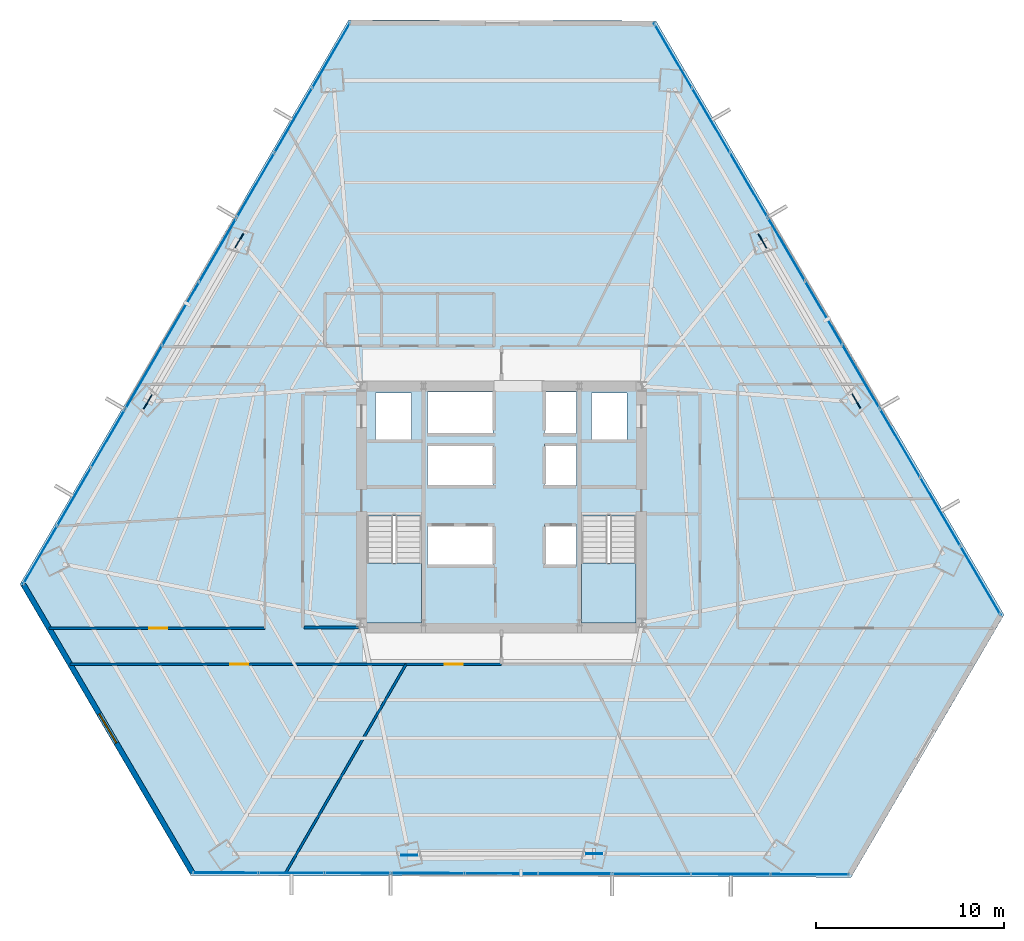
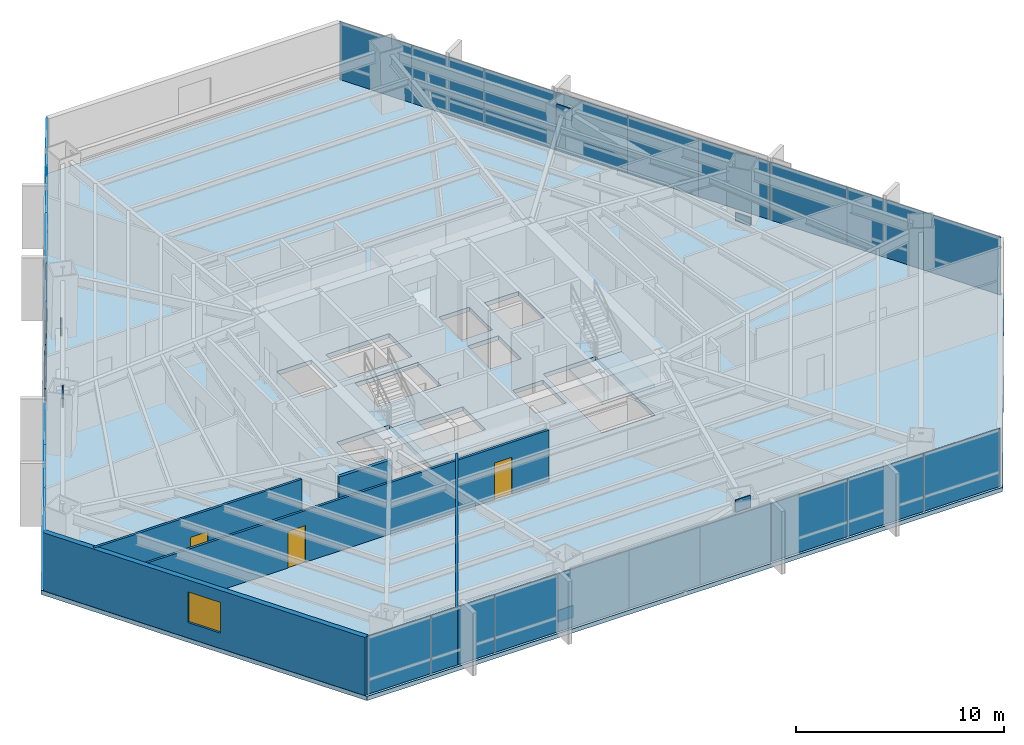
# One storey, part 27 of 33: 33 plates, 6 walls, 3 doors, 3 slabs, 1 window, 4 openings, 11 elements without a shape of their own.
"""IFC4 building model written with IfcOpenShell, lengths in metres."""

from ifc_helpers import new_model, si_unit, direction, frame, frame_2d, origin, origin_2d, place, context, subcontext, project, spatial, polyline, rectangle, outline, extrude, source, transform, mapped, material, layer, layer_set, type_object, type_shapes, element, fill, aggregate, save


model = new_model("IFC4")

# Units and contexts
model_context = context("Model", 3, precision=1e-05, world=origin(), true_north=direction((0.0, 1.0)))
body_context = subcontext(model_context, "Body", "Model", "MODEL_VIEW")
ifc_project = project(units=[si_unit("LENGTHUNIT", "METRE"), si_unit("AREAUNIT", "SQUARE_METRE"), si_unit("VOLUMEUNIT", "CUBIC_METRE"), si_unit("PLANEANGLEUNIT", "RADIAN"), si_unit("MASSUNIT", "GRAM", prefix="KILO")], contexts=[model_context])

# Site, building, storey
site_placement = place(None, origin())
site = spatial("IfcSite", under=ifc_project, at=site_placement, CompositionType="ELEMENT")
building_placement = place(site_placement, origin())
building = spatial("IfcBuilding", under=site, at=building_placement, Name="Caelisora Broadcast Tower", CompositionType="ELEMENT")
storey_placement = place(building_placement, frame((0.0, 0.0, 38.550048828125)))
storey = spatial("IfcBuildingStorey", under=building, at=storey_placement, Name="L09", CompositionType="ELEMENT", Elevation=38.550048828125)

# Slab
ifc_material_1 = material(Name="Concrete 40 MPa (AS 3600 N40)", Category="concrete")
ifc_layer_1 = layer(ifc_material_1, 0.25, Name="Concrete 40 MPa (AS 3600 N40)")
ifc_layer_set_1 = layer_set([ifc_layer_1], Name="Concrete 40 MPa (AS 3600 N40)")
slab_type_1 = type_object("IfcSlabType", Name="SL04", PredefinedType="FLOOR", material=ifc_layer_set_1)
slab_1_placement = place(storey_placement, frame((0.0, 0.0, -0.25)))
element("IfcSlab", 1, at=slab_1_placement, inside=storey, type_object=slab_type_1, Name="L09 suspended floor SL04", PredefinedType="FLOOR", context=body_context, shape_type="SweptSolid", body=[
    extrude(outline(polyline([(46.22607421875, 49.47607421875), (29.85205078125, 49.52099609375), (12.343017578125, 19.4599609375), (21.445068359375, 3.93310546875), (56.631103515625, 3.8349609375), (64.778076171875, 17.823974609375), (46.22607421875, 49.47607421875)]), holes=[polyline([(30.820068359375, 17.39990234375), (33.739990234375, 17.39990234375), (33.739990234375, 23.080078125), (30.820068359375, 23.080078125), (30.820068359375, 17.39990234375)]), polyline([(42.260009765625, 17.39990234375), (45.179931640625, 17.39990234375), (45.179931640625, 23.080078125), (42.260009765625, 23.080078125), (42.260009765625, 17.39990234375)]), polyline([(42.800048828125, 27.14990234375), (44.699951171875, 27.14990234375), (44.699951171875, 29.64990234375), (42.800048828125, 29.64990234375), (42.800048828125, 27.14990234375)]), polyline([(40.300048828125, 20.429931640625), (42.0, 20.429931640625), (42.0, 22.6298828125), (40.300048828125, 22.6298828125), (40.300048828125, 20.429931640625)]), polyline([(40.300048828125, 24.719970703125), (42.0, 24.719970703125), (42.0, 26.919921875), (40.300048828125, 26.919921875), (40.300048828125, 24.719970703125)]), polyline([(40.300048828125, 27.5), (42.0, 27.5), (42.0, 29.699951171875), (40.300048828125, 29.699951171875), (40.300048828125, 27.5)]), polyline([(34.050048828125, 20.429931640625), (37.550048828125, 20.429931640625), (37.550048828125, 22.6298828125), (34.050048828125, 22.6298828125), (34.050048828125, 20.429931640625)]), polyline([(34.050048828125, 24.719970703125), (37.550048828125, 24.719970703125), (37.550048828125, 26.919921875), (34.050048828125, 26.919921875), (34.050048828125, 24.719970703125)]), polyline([(34.050048828125, 27.5), (37.550048828125, 27.5), (37.550048828125, 29.699951171875), (34.050048828125, 29.699951171875), (34.050048828125, 27.5)]), polyline([(31.300048828125, 27.14990234375), (33.199951171875, 27.14990234375), (33.199951171875, 29.64990234375), (31.300048828125, 29.64990234375), (31.300048828125, 27.14990234375)])]), origin(), (0.0, 0.0, 1.0), 0.25),
])

# Stair, slab
stair_type_1 = type_object("IfcStairType", Name="ST-1", PredefinedType="HALF_TURN_STAIR", material=ifc_material_1)
stair_1_placement = place(storey_placement, origin())
stair_1 = element("IfcStair", 2, at=stair_1_placement, inside=storey, type_object=stair_type_1, Name="L09 West Fire-Isolated Tower Stair", PredefinedType="HALF_TURN_STAIR")
ifc_layer_2 = layer(ifc_material_1, 0.199951171875, Name="Concrete 40 MPa (AS 3600 N40)")
ifc_layer_set_2 = layer_set([ifc_layer_2], Name="Concrete 40 MPa (AS 3600 N40)")
slab_type_2 = type_object("IfcSlabType", Name="STL-1", PredefinedType="LANDING", material=ifc_layer_set_2)
slab_2_placement = place(storey_placement, frame((0.0, 0.0, 1.625)))
slab_2 = element("IfcSlab", 3, at=slab_2_placement, type_object=slab_type_2, Name="ST-1 landing 1", PredefinedType="LANDING", context=body_context, shape_type="SweptSolid", body=[
    extrude(outline(polyline([(30.820068359375, 20.580078125), (30.820068359375, 17.39990234375), (33.739990234375, 17.39990234375), (33.739990234375, 20.580078125), (30.820068359375, 20.580078125)])), origin(), (0.0, 0.0, 1.0), 0.199951171875),
])
aggregate(stair_1, [slab_2])

stair_type_2 = type_object("IfcStairType", Name="ST-2", PredefinedType="HALF_TURN_STAIR", material=ifc_material_1)
stair_2_placement = place(storey_placement, origin())
stair_2 = element("IfcStair", 4, at=stair_2_placement, inside=storey, type_object=stair_type_2, Name="L09 East Fire-Isolated Tower Stair", PredefinedType="HALF_TURN_STAIR")
slab_3_placement = place(storey_placement, frame((0.0, 0.0, 1.625)))
slab_3 = element("IfcSlab", 5, at=slab_3_placement, type_object=slab_type_2, Name="ST-2 landing 1", PredefinedType="LANDING", context=body_context, shape_type="SweptSolid", body=[
    extrude(outline(polyline([(42.260009765625, 20.580078125), (42.260009765625, 17.39990234375), (45.179931640625, 17.39990234375), (45.179931640625, 20.580078125), (42.260009765625, 20.580078125)])), origin(), (0.0, 0.0, 1.0), 0.199951171875),
])
aggregate(stair_2, [slab_3])

# Plates
ifc_material_2 = material(Name="Steel Grade 350 L15 (AS/NZS 3678)", Category="steel")
ifc_layer_3 = layer(ifc_material_2, 0.050048828125, Name="Steel Grade 350 L15 (AS/NZS 3678)")
ifc_layer_set_3 = layer_set([ifc_layer_3], Name="Steel Grade 350 L15 (AS/NZS 3678)")
plate_type_1 = type_object("IfcPlateType", Name="GP03", PredefinedType="USERDEFINED", material=ifc_layer_set_3)
shared_shape_1 = source(origin(), body_context, "Body", "SweptSolid", [
    extrude(rectangle(XDim=0.85009765625, YDim=0.050048828125, at=origin_2d()), origin(), (0.0, 0.0, 1.0), 0.699951171875),
])
type_shapes(plate_type_1, [shared_shape_1])
for number, where, z_axis, x_axis, name in (
    (6, (24.0234375, 37.758056640625, -0.22998046875), (0.0, 0.0, 1.0), (-0.5, -0.866025403784, 0.0), "L09 gusset plate GP03 (ND-L09-C02B)"),
    (7, (19.1513671875, 29.174560546875, 2.72998046875), (0.0, 0.0, 1.0), (-0.5, -0.866025403784, 0.0), "L09 gusset plate GP03 (ND-L09-C03T)"),
    (8, (33.073486328125, 5.016845703125, -0.22998046875), (0.0, 0.0, 1.0), (1.0, 0.0, 0.0), "L09 gusset plate GP03 (ND-L09-C06B)"),
    (9, (42.943115234375, 5.089111328125, 2.72998046875), (0.0, 0.0, 1.0), (1.0, 0.0, 0.0), "L09 gusset plate GP03 (ND-L09-C07T)"),
    (10, (56.9033203125, 29.22509765625, -0.22998046875), (0.0, 0.0, 1.0), (-0.5, 0.866025403784, 0.0), "L09 gusset plate GP03 (ND-L09-C10B)"),
    (11, (51.90576171875, 37.736083984375, 2.72998046875), (0.0, 0.0, 1.0), (-0.5, 0.866025403784, 0.0), "L09 gusset plate GP03 (ND-L09-C11T)"),
):
    element("IfcPlate", number, at=place(storey_placement, frame(where, z_axis=z_axis, x_axis=x_axis)), inside=storey, type_object=plate_type_1, Name=name, ObjectType="GUSSET PLATE", PredefinedType="USERDEFINED", context=body_context, shape_type="MappedRepresentation", body=[
        mapped(shared_shape_1, transform((0.0, 0.0, 0.0), scale=1.0)),
    ])

# Curtain wall, plates
ifc_material_3 = material(Name="Unitised Aluminium and Low-E Glass Curtain Wall", Category="glass")
curtain_wall_type_1 = type_object("IfcCurtainWallType", Name="CW-Z1", PredefinedType="NOTDEFINED", material=ifc_material_3)
curtain_wall_1_placement = place(storey_placement, origin())
curtain_wall_1 = element("IfcCurtainWall", 12, at=curtain_wall_1_placement, inside=storey, type_object=curtain_wall_type_1, Name="L09 curtain wall CW-Z1", PredefinedType="NOTDEFINED")
ifc_material_4 = material(Name="Double Glazed Low-E Argon IGU", Category="glass")
ifc_layer_4 = layer(ifc_material_4, 0.035888671875, Name="Double Glazed Low-E Argon IGU")
ifc_layer_set_4 = layer_set([ifc_layer_4], Name="Double Glazed Low-E Argon IGU")
plate_type_2 = type_object("IfcPlateType", Name="CWP-02", PredefinedType="CURTAIN_PANEL", material=ifc_layer_set_4)
shared_shape_2 = source(origin(), body_context, "Body", "SweptSolid", [
    extrude(rectangle(XDim=3.98388671875, YDim=0.035888671875, at=origin_2d()), origin(), (0.0, 0.0, 1.0), 3.39990234375),
])
plate_1_placement = place(storey_placement, frame((47.147216796875, 47.607421875, 0.0), z_axis=(0.0, 0.0, 1.0), x_axis=(0.505732659231, -0.862690255763, 0.0)))
plate_1 = element("IfcPlate", 13, at=plate_1_placement, type_object=plate_type_2, Name="L09-CW-B01 glazed panel #1", PredefinedType="CURTAIN_PANEL", context=body_context, shape_type="MappedRepresentation", body=[
    mapped(shared_shape_2, transform((0.0, 0.0, 0.0), scale=1.0)),
])
plate_2_placement = place(storey_placement, frame((49.16162109375, 44.170654296875, 0.0), z_axis=(0.0, 0.0, 1.0), x_axis=(0.505732659231, -0.862690255763, 0.0)))
plate_2 = element("IfcPlate", 14, at=plate_2_placement, type_object=plate_type_2, Name="L09-CW-B01 glazed panel #2", PredefinedType="CURTAIN_PANEL", context=body_context, shape_type="MappedRepresentation", body=[
    mapped(shared_shape_2, transform((0.0, 0.0, 0.0), scale=1.0)),
])
plate_3_placement = place(storey_placement, frame((51.176025390625, 40.733642578125, 0.0), z_axis=(0.0, 0.0, 1.0), x_axis=(0.505732659231, -0.862690255763, 0.0)))
plate_3 = element("IfcPlate", 15, at=plate_3_placement, type_object=plate_type_2, Name="L09-CW-B01 glazed panel #3", PredefinedType="CURTAIN_PANEL", context=body_context, shape_type="MappedRepresentation", body=[
    mapped(shared_shape_2, transform((0.0, 0.0, 0.0), scale=1.0)),
])
aggregate(curtain_wall_1, [plate_1, plate_2, plate_3])

ifc_material_5 = material(Name="Unitised Aluminium Insulated Shadow-Box Spandrel Curtain Wall", Category="aluminium")
curtain_wall_type_2 = type_object("IfcCurtainWallType", Name="CW-SP1", PredefinedType="NOTDEFINED", material=ifc_material_5)
curtain_wall_2_placement = place(storey_placement, origin())
curtain_wall_2 = element("IfcCurtainWall", 16, at=curtain_wall_2_placement, inside=storey, type_object=curtain_wall_type_2, Name="L09 curtain wall CW-SP1", PredefinedType="NOTDEFINED")
ifc_material_6 = material(Name="Insulated Terracotta Shadow-Box Spandrel Panel", Category="aluminium")
ifc_layer_5 = layer(ifc_material_6, 0.0439453125, Name="Insulated Terracotta Shadow-Box Spandrel Panel")
ifc_layer_set_5 = layer_set([ifc_layer_5], Name="Insulated Terracotta Shadow-Box Spandrel Panel")
plate_type_3 = type_object("IfcPlateType", Name="CWP-10", PredefinedType="CURTAIN_PANEL", material=ifc_layer_set_5)
shared_shape_3 = source(origin(), body_context, "Body", "SweptSolid", [
    extrude(rectangle(XDim=3.930908203125, YDim=0.0439453125, at=origin_2d()), origin(), (0.0, 0.0, 1.0), 3.39990234375),
])
plate_4_placement = place(storey_placement, frame((53.182373046875, 37.310791015625, 0.0), z_axis=(0.0, 0.0, 1.0), x_axis=(0.505732659231, -0.862690255763, 0.0)))
plate_4 = element("IfcPlate", 17, at=plate_4_placement, type_object=plate_type_3, Name="L09-CW-B02 spandrel panel #1", PredefinedType="CURTAIN_PANEL", context=body_context, shape_type="MappedRepresentation", body=[
    mapped(shared_shape_3, transform((0.0, 0.0, 0.0), scale=1.0)),
])
plate_5_placement = place(storey_placement, frame((55.170166015625, 33.91943359375, 0.0), z_axis=(0.0, 0.0, 1.0), x_axis=(0.505732659231, -0.862690255763, 0.0)))
plate_5 = element("IfcPlate", 18, at=plate_5_placement, type_object=plate_type_3, Name="L09-CW-B02 spandrel panel #2", PredefinedType="CURTAIN_PANEL", context=body_context, shape_type="MappedRepresentation", body=[
    mapped(shared_shape_3, transform((0.0, 0.0, 0.0), scale=1.0)),
])
plate_6_placement = place(storey_placement, frame((57.15771484375, 30.528076171875, 0.0), z_axis=(0.0, 0.0, 1.0), x_axis=(0.505732659231, -0.862690255763, 0.0)))
plate_6 = element("IfcPlate", 19, at=plate_6_placement, type_object=plate_type_3, Name="L09-CW-B02 spandrel panel #3", PredefinedType="CURTAIN_PANEL", context=body_context, shape_type="MappedRepresentation", body=[
    mapped(shared_shape_3, transform((0.0, 0.0, 0.0), scale=1.0)),
])
aggregate(curtain_wall_2, [plate_4, plate_5, plate_6])

curtain_wall_3_placement = place(storey_placement, origin())
curtain_wall_3 = element("IfcCurtainWall", 20, at=curtain_wall_3_placement, inside=storey, type_object=curtain_wall_type_1, Name="L09 curtain wall CW-Z1", PredefinedType="NOTDEFINED")
shared_shape_4 = source(origin(), body_context, "Body", "SweptSolid", [
    extrude(rectangle(XDim=4.25, YDim=0.035888671875, at=origin_2d()), origin(), (0.0, 0.0, 1.0), 3.39990234375),
])
plate_7_placement = place(storey_placement, frame((59.231201171875, 26.990478515625, 0.0), z_axis=(0.0, 0.0, 1.0), x_axis=(0.505732659231, -0.862690255763, 0.0)))
plate_7 = element("IfcPlate", 21, at=plate_7_placement, type_object=plate_type_2, Name="L09-CW-B03 glazed panel #1", PredefinedType="CURTAIN_PANEL", context=body_context, shape_type="MappedRepresentation", body=[
    mapped(shared_shape_4, transform((0.0, 0.0, 0.0), scale=1.0)),
])
plate_8_placement = place(storey_placement, frame((61.38037109375, 23.323974609375, 0.0), z_axis=(0.0, 0.0, 1.0), x_axis=(0.505732659231, -0.862690255763, 0.0)))
plate_8 = element("IfcPlate", 22, at=plate_8_placement, type_object=plate_type_2, Name="L09-CW-B03 glazed panel #2", PredefinedType="CURTAIN_PANEL", context=body_context, shape_type="MappedRepresentation", body=[
    mapped(shared_shape_4, transform((0.0, 0.0, 0.0), scale=1.0)),
])
plate_9_placement = place(storey_placement, frame((63.529541015625, 19.6572265625, 0.0), z_axis=(0.0, 0.0, 1.0), x_axis=(0.505732659231, -0.862690255763, 0.0)))
plate_9 = element("IfcPlate", 23, at=plate_9_placement, type_object=plate_type_2, Name="L09-CW-B03 glazed panel #3", PredefinedType="CURTAIN_PANEL", context=body_context, shape_type="MappedRepresentation", body=[
    mapped(shared_shape_4, transform((0.0, 0.0, 0.0), scale=1.0)),
])
aggregate(curtain_wall_3, [plate_7, plate_8, plate_9])

curtain_wall_4_placement = place(storey_placement, origin())
curtain_wall_4 = element("IfcCurtainWall", 24, at=curtain_wall_4_placement, inside=storey, type_object=curtain_wall_type_1, Name="L09 curtain wall CW-Z1", PredefinedType="NOTDEFINED")
shared_shape_5 = source(origin(), body_context, "Body", "SweptSolid", [
    extrude(rectangle(XDim=4.213623046875, YDim=0.035888671875, at=origin_2d()), origin(), (0.0, 0.0, 1.0), 3.39990234375),
])
plate_10_placement = place(storey_placement, frame((54.43798828125, 3.990966796875, 0.0), z_axis=(0.0, 0.0, 1.0), x_axis=(-0.9999961009, 0.002792523174, 0.0)))
plate_10 = element("IfcPlate", 25, at=plate_10_placement, type_object=plate_type_2, Name="L09-CW-B05 glazed panel #1", PredefinedType="CURTAIN_PANEL", context=body_context, shape_type="MappedRepresentation", body=[
    mapped(shared_shape_5, transform((0.0, 0.0, 0.0), scale=1.0)),
])
plate_11_placement = place(storey_placement, frame((50.224365234375, 4.002685546875, 0.0), z_axis=(0.0, 0.0, 1.0), x_axis=(-0.9999961009, 0.002792523174, 0.0)))
plate_11 = element("IfcPlate", 26, at=plate_11_placement, type_object=plate_type_2, Name="L09-CW-B05 glazed panel #2", PredefinedType="CURTAIN_PANEL", context=body_context, shape_type="MappedRepresentation", body=[
    mapped(shared_shape_5, transform((0.0, 0.0, 0.0), scale=1.0)),
])
plate_12_placement = place(storey_placement, frame((46.0107421875, 4.014404296875, 0.0), z_axis=(0.0, 0.0, 1.0), x_axis=(-0.9999961009, 0.002792523174, 0.0)))
plate_12 = element("IfcPlate", 27, at=plate_12_placement, type_object=plate_type_2, Name="L09-CW-B05 glazed panel #3", PredefinedType="CURTAIN_PANEL", context=body_context, shape_type="MappedRepresentation", body=[
    mapped(shared_shape_5, transform((0.0, 0.0, 0.0), scale=1.0)),
])
aggregate(curtain_wall_4, [plate_10, plate_11, plate_12])

curtain_wall_5_placement = place(storey_placement, origin())
curtain_wall_5 = element("IfcCurtainWall", 28, at=curtain_wall_5_placement, inside=storey, type_object=curtain_wall_type_2, Name="L09 curtain wall CW-SP1", PredefinedType="NOTDEFINED")
shared_shape_6 = source(origin(), body_context, "Body", "SweptSolid", [
    extrude(rectangle(XDim=3.93115234375, YDim=0.0439453125, at=origin_2d()), origin(), (0.0, 0.0, 1.0), 3.39990234375),
])
type_shapes(plate_type_3, [shared_shape_3, shared_shape_6])
plate_13_placement = place(storey_placement, frame((41.92822265625, 4.02587890625, 0.0), z_axis=(0.0, 0.0, 1.0), x_axis=(-0.9999961009, 0.002792523174, 0.0)))
plate_13 = element("IfcPlate", 29, at=plate_13_placement, type_object=plate_type_3, Name="L09-CW-B06 spandrel panel #1", PredefinedType="CURTAIN_PANEL", context=body_context, shape_type="MappedRepresentation", body=[
    mapped(shared_shape_6, transform((0.0, 0.0, 0.0), scale=1.0)),
])
plate_14_placement = place(storey_placement, frame((37.997314453125, 4.036865234375, 0.0), z_axis=(0.0, 0.0, 1.0), x_axis=(-0.9999961009, 0.002792523174, 0.0)))
plate_14 = element("IfcPlate", 30, at=plate_14_placement, type_object=plate_type_3, Name="L09-CW-B06 spandrel panel #2", PredefinedType="CURTAIN_PANEL", context=body_context, shape_type="MappedRepresentation", body=[
    mapped(shared_shape_6, transform((0.0, 0.0, 0.0), scale=1.0)),
])
plate_15_placement = place(storey_placement, frame((34.066162109375, 4.0478515625, 0.0), z_axis=(0.0, 0.0, 1.0), x_axis=(-0.9999961009, 0.002792523174, 0.0)))
plate_15 = element("IfcPlate", 31, at=plate_15_placement, type_object=plate_type_3, Name="L09-CW-B06 spandrel panel #3", PredefinedType="CURTAIN_PANEL", context=body_context, shape_type="MappedRepresentation", body=[
    mapped(shared_shape_6, transform((0.0, 0.0, 0.0), scale=1.0)),
])
aggregate(curtain_wall_5, [plate_13, plate_14, plate_15])

curtain_wall_6_placement = place(storey_placement, origin())
curtain_wall_6 = element("IfcCurtainWall", 32, at=curtain_wall_6_placement, inside=storey, type_object=curtain_wall_type_2, Name="L09 curtain wall CW-SP1", PredefinedType="NOTDEFINED")
plate_16_placement = place(storey_placement, frame((18.931396484375, 30.473388671875, 0.0), z_axis=(0.0, 0.0, 1.0), x_axis=(0.503321604797, 0.864099162217, 0.0)))
plate_16 = element("IfcPlate", 33, at=plate_16_placement, type_object=plate_type_3, Name="L09-CW-B10 spandrel panel #1", PredefinedType="CURTAIN_PANEL", context=body_context, shape_type="MappedRepresentation", body=[
    mapped(shared_shape_6, transform((0.0, 0.0, 0.0), scale=1.0)),
])
plate_17_placement = place(storey_placement, frame((20.909912109375, 33.870361328125, 0.0), z_axis=(0.0, 0.0, 1.0), x_axis=(0.503321604797, 0.864099162217, 0.0)))
plate_17 = element("IfcPlate", 34, at=plate_17_placement, type_object=plate_type_3, Name="L09-CW-B10 spandrel panel #2", PredefinedType="CURTAIN_PANEL", context=body_context, shape_type="MappedRepresentation", body=[
    mapped(shared_shape_6, transform((0.0, 0.0, 0.0), scale=1.0)),
])
plate_18_placement = place(storey_placement, frame((22.888427734375, 37.26708984375, 0.0), z_axis=(0.0, 0.0, 1.0), x_axis=(0.503321604797, 0.864099162217, 0.0)))
plate_18 = element("IfcPlate", 35, at=plate_18_placement, type_object=plate_type_3, Name="L09-CW-B10 spandrel panel #3", PredefinedType="CURTAIN_PANEL", context=body_context, shape_type="MappedRepresentation", body=[
    mapped(shared_shape_6, transform((0.0, 0.0, 0.0), scale=1.0)),
])
aggregate(curtain_wall_6, [plate_16, plate_17, plate_18])

curtain_wall_7_placement = place(storey_placement, origin())
curtain_wall_7 = element("IfcCurtainWall", 36, at=curtain_wall_7_placement, inside=storey, type_object=curtain_wall_type_1, Name="L09 curtain wall CW-Z1", PredefinedType="NOTDEFINED")
shared_shape_7 = source(origin(), body_context, "Body", "SweptSolid", [
    extrude(rectangle(XDim=3.52001953125, YDim=0.035888671875, at=origin_2d()), origin(), (0.0, 0.0, 1.0), 3.39990234375),
])
plate_19_placement = place(storey_placement, frame((30.330810546875, 4.058349609375, 0.0), z_axis=(0.0, 0.0, 1.0), x_axis=(-0.9999961009, 0.002792523174, 0.0)))
plate_19 = element("IfcPlate", 37, at=plate_19_placement, type_object=plate_type_2, Name="L09-CW-B07 glazed panel #1", PredefinedType="CURTAIN_PANEL", context=body_context, shape_type="MappedRepresentation", body=[
    mapped(shared_shape_7, transform((0.0, 0.0, 0.0), scale=1.0)),
])
plate_20_placement = place(storey_placement, frame((26.810791015625, 4.068115234375, 0.0), z_axis=(0.0, 0.0, 1.0), x_axis=(-0.9999961009, 0.002792523174, 0.0)))
plate_20 = element("IfcPlate", 38, at=plate_20_placement, type_object=plate_type_2, Name="L09-CW-B07 glazed panel #2", PredefinedType="CURTAIN_PANEL", context=body_context, shape_type="MappedRepresentation", body=[
    mapped(shared_shape_7, transform((0.0, 0.0, 0.0), scale=1.0)),
])
plate_21_placement = place(storey_placement, frame((23.291015625, 4.078125, 0.0), z_axis=(0.0, 0.0, 1.0), x_axis=(-0.9999961009, 0.002792523174, 0.0)))
plate_21 = element("IfcPlate", 39, at=plate_21_placement, type_object=plate_type_2, Name="L09-CW-B07 glazed panel #3", PredefinedType="CURTAIN_PANEL", context=body_context, shape_type="MappedRepresentation", body=[
    mapped(shared_shape_7, transform((0.0, 0.0, 0.0), scale=1.0)),
])
aggregate(curtain_wall_7, [plate_19, plate_20, plate_21])

curtain_wall_8_placement = place(storey_placement, origin())
curtain_wall_8 = element("IfcCurtainWall", 40, at=curtain_wall_8_placement, inside=storey, type_object=curtain_wall_type_1, Name="L09 curtain wall CW-Z1", PredefinedType="NOTDEFINED")
shared_shape_8 = source(origin(), body_context, "Body", "SweptSolid", [
    extrude(rectangle(XDim=3.58984375, YDim=0.035888671875, at=origin_2d()), origin(), (0.0, 0.0, 1.0), 3.39990234375),
])
plate_22_placement = place(storey_placement, frame((13.42041015625, 21.010986328125, 0.0), z_axis=(0.0, 0.0, 1.0), x_axis=(0.503321604797, 0.864099162217, 0.0)))
plate_22 = element("IfcPlate", 41, at=plate_22_placement, type_object=plate_type_2, Name="L09-CW-B09 glazed panel #1", PredefinedType="CURTAIN_PANEL", context=body_context, shape_type="MappedRepresentation", body=[
    mapped(shared_shape_8, transform((0.0, 0.0, 0.0), scale=1.0)),
])
plate_23_placement = place(storey_placement, frame((15.22705078125, 24.113037109375, 0.0), z_axis=(0.0, 0.0, 1.0), x_axis=(0.503321604797, 0.864099162217, 0.0)))
plate_23 = element("IfcPlate", 42, at=plate_23_placement, type_object=plate_type_2, Name="L09-CW-B09 glazed panel #2", PredefinedType="CURTAIN_PANEL", context=body_context, shape_type="MappedRepresentation", body=[
    mapped(shared_shape_8, transform((0.0, 0.0, 0.0), scale=1.0)),
])
plate_24_placement = place(storey_placement, frame((17.033935546875, 27.215087890625, 0.0), z_axis=(0.0, 0.0, 1.0), x_axis=(0.503321604797, 0.864099162217, 0.0)))
plate_24 = element("IfcPlate", 43, at=plate_24_placement, type_object=plate_type_2, Name="L09-CW-B09 glazed panel #3", PredefinedType="CURTAIN_PANEL", context=body_context, shape_type="MappedRepresentation", body=[
    mapped(shared_shape_8, transform((0.0, 0.0, 0.0), scale=1.0)),
])
aggregate(curtain_wall_8, [plate_22, plate_23, plate_24])

curtain_wall_9_placement = place(storey_placement, origin())
curtain_wall_9 = element("IfcCurtainWall", 44, at=curtain_wall_9_placement, inside=storey, type_object=curtain_wall_type_1, Name="L09 curtain wall CW-Z1", PredefinedType="NOTDEFINED")
shared_shape_9 = source(origin(), body_context, "Body", "SweptSolid", [
    extrude(rectangle(XDim=4.010498046875, YDim=0.035888671875, at=origin_2d()), origin(), (0.0, 0.0, 1.0), 3.39990234375),
])
type_shapes(plate_type_2, [shared_shape_2, shared_shape_4, shared_shape_5, shared_shape_7, shared_shape_8, shared_shape_9])
plate_25_placement = place(storey_placement, frame((24.891845703125, 40.70703125, 0.0), z_axis=(0.0, 0.0, 1.0), x_axis=(0.503321604797, 0.864099162217, 0.0)))
plate_25 = element("IfcPlate", 45, at=plate_25_placement, type_object=plate_type_2, Name="L09-CW-B11 glazed panel #1", PredefinedType="CURTAIN_PANEL", context=body_context, shape_type="MappedRepresentation", body=[
    mapped(shared_shape_9, transform((0.0, 0.0, 0.0), scale=1.0)),
])
plate_26_placement = place(storey_placement, frame((26.910400390625, 44.172607421875, 0.0), z_axis=(0.0, 0.0, 1.0), x_axis=(0.503321604797, 0.864099162217, 0.0)))
plate_26 = element("IfcPlate", 46, at=plate_26_placement, type_object=plate_type_2, Name="L09-CW-B11 glazed panel #2", PredefinedType="CURTAIN_PANEL", context=body_context, shape_type="MappedRepresentation", body=[
    mapped(shared_shape_9, transform((0.0, 0.0, 0.0), scale=1.0)),
])
plate_27_placement = place(storey_placement, frame((28.9287109375, 47.63818359375, 0.0), z_axis=(0.0, 0.0, 1.0), x_axis=(0.503321604797, 0.864099162217, 0.0)))
plate_27 = element("IfcPlate", 47, at=plate_27_placement, type_object=plate_type_2, Name="L09-CW-B11 glazed panel #3", PredefinedType="CURTAIN_PANEL", context=body_context, shape_type="MappedRepresentation", body=[
    mapped(shared_shape_9, transform((0.0, 0.0, 0.0), scale=1.0)),
])
aggregate(curtain_wall_9, [plate_25, plate_26, plate_27])

# Wall, opening, window
ifc_material_7 = material(Name="Insulated Terracotta Spandrel Wall System", Category="masonry")
ifc_layer_6 = layer(ifc_material_7, 0.280029296875, Name="Insulated Terracotta Spandrel Wall System")
ifc_layer_set_6 = layer_set([ifc_layer_6], Name="Insulated Terracotta Spandrel Wall System")
wall_type_1 = type_object("IfcWallType", Name="EW1", PredefinedType="STANDARD", material=ifc_layer_set_6)
wall_1_placement = place(storey_placement, frame((21.515869140625, 4.10888671875, 0.0), z_axis=(0.0, 0.0, 1.0), x_axis=(-0.505715619935, 0.862700244438, 0.0)))
wall_1 = element("IfcWall", 48, at=wall_1_placement, inside=storey, type_object=wall_type_1, Name="L09 exterior envelope wall EW1", PredefinedType="STANDARD", context=body_context, shape_type="SweptSolid", body=[
    extrude(rectangle(XDim=17.76416015625, YDim=0.280029296875, at=frame_2d((8.882080078125, 0.0))), origin(), (0.0, 0.0, 1.0), 3.39990234375),
])
opening_1_placement = place(wall_1_placement, frame((7.97998046875, 0.0, 0.89990234375)))
opening_1 = element("IfcOpeningElement", 49, at=opening_1_placement, cuts=wall_1, Name="Opening W01", PredefinedType="OPENING", context=body_context, shape_type="SweptSolid", body=[
    extrude(rectangle(XDim=1.800048828125, YDim=1.800048828125, at=frame_2d((0.89990234375, 0.89990234375))), frame((0.0, 0.152099609375, 0.0), z_axis=(0.0, -1.0, 0.0), x_axis=(1.0, 0.0, 0.0)), (0.0, 0.0, 1.0), 0.303955078125),
])
ifc_material_8 = material(Name="Double Glazed Terracotta-Framed Vision Window", Category="glass")
window_type = type_object("IfcWindowType", Name="W01", PartitioningType="SINGLE_PANEL", PredefinedType="WINDOW", material=ifc_material_8)
window_placement = place(opening_1_placement, origin())
window = element("IfcWindow", 50, at=window_placement, inside=storey, type_object=window_type, Name="L09 window W01 (L09-WN-CH4)", OverallHeight=1.800048828125, OverallWidth=1.800048828125, PartitioningType="SINGLE_PANEL", PredefinedType="WINDOW", context=body_context, shape_type="SweptSolid", body=[
    extrude(rectangle(XDim=1.800048828125, YDim=1.800048828125, at=frame_2d((0.89990234375, 0.89990234375))), frame((0.0, 0.030029296875, 0.0), z_axis=(0.0, -1.0, 0.0), x_axis=(1.0, 0.0, 0.0)), (0.0, 0.0, 1.0), 0.06005859375),
])
fill(opening_1, window)

# Wall
ifc_material_9 = material(Name="Fire-Rated Gypsum Shaft and Compartment Wall", Category="gypsum")
ifc_layer_7 = layer(ifc_material_9, 0.179931640625, Name="Fire-Rated Gypsum Shaft and Compartment Wall")
ifc_layer_set_7 = layer_set([ifc_layer_7], Name="Fire-Rated Gypsum Shaft and Compartment Wall")
wall_type_2 = type_object("IfcWallType", Name="PW2", PredefinedType="PARTITIONING", material=ifc_layer_set_7)
wall_2_placement = place(storey_placement, frame((27.47998046875, 17.14990234375, 0.0), z_axis=(0.0, 0.0, 1.0), x_axis=(1.0, 0.0, 0.0)))
element("IfcWall", 51, at=wall_2_placement, inside=storey, type_object=wall_type_2, Name="L09 fire compartment wall PW2", PredefinedType="PARTITIONING", context=body_context, shape_type="SweptSolid", body=[
    extrude(rectangle(XDim=2.89990234375, YDim=0.179931640625, at=frame_2d((1.449951171875, 0.0))), origin(), (0.0, 0.0, 1.0), 2.78271484375),
])

# Wall, opening, door
ifc_material_10 = material(Name="Acoustic Steel-Stud Plasterboard Partition", Category="gypsum")
ifc_layer_8 = layer(ifc_material_10, 0.1298828125, Name="Acoustic Steel-Stud Plasterboard Partition")
ifc_layer_set_8 = layer_set([ifc_layer_8], Name="Acoustic Steel-Stud Plasterboard Partition")
wall_type_3 = type_object("IfcWallType", Name="PW3", PredefinedType="PARTITIONING", material=ifc_layer_set_8)
wall_3_placement = place(storey_placement, frame((15.00830078125, 15.199951171875, 0.0), z_axis=(0.0, 0.0, 1.0), x_axis=(1.0, 0.0, 0.0)))
wall_3 = element("IfcWall", 52, at=wall_3_placement, inside=storey, type_object=wall_type_3, Name="L09 internal partition PW3", PredefinedType="PARTITIONING", context=body_context, shape_type="SweptSolid", body=[
    extrude(rectangle(XDim=17.90673828125, YDim=0.1298828125, at=frame_2d((8.953369140625, 0.0))), origin(), (0.0, 0.0, 1.0), 3.0263671875),
])
opening_2_placement = place(wall_3_placement, frame((8.527099609375, 0.0, 0.0)))
opening_2 = element("IfcOpeningElement", 53, at=opening_2_placement, cuts=wall_3, Name="Opening D01", PredefinedType="OPENING", context=body_context, shape_type="SweptSolid", body=[
    extrude(rectangle(XDim=0.9599609375, YDim=2.14990234375, at=frame_2d((0.47998046875, 1.074951171875))), frame((0.0, 0.076904296875, 0.0), z_axis=(0.0, -1.0, 0.0), x_axis=(1.0, 0.0, 0.0)), (0.0, 0.0, 1.0), 0.15380859375),
])
ifc_material_11 = material(Name="Solid-Core Timber Acoustic Office Door", Category="wood")
door_type = type_object("IfcDoorType", Name="D01", OperationType="NOTDEFINED", PredefinedType="DOOR", material=ifc_material_11)
door_1_placement = place(opening_2_placement, origin())
door_1 = element("IfcDoor", 54, at=door_1_placement, inside=storey, type_object=door_type, Name="L09 door D01 (L09-DR-P27D1)", OperationType="SINGLE_SWING_RIGHT", OverallHeight=2.14990234375, OverallWidth=0.9599609375, PredefinedType="DOOR", context=body_context, shape_type="SweptSolid", body=[
    extrude(rectangle(XDim=0.9599609375, YDim=2.14990234375, at=frame_2d((0.47998046875, 1.074951171875))), frame((0.0, 0.02490234375, 0.0), z_axis=(0.0, -1.0, 0.0), x_axis=(1.0, 0.0, 0.0)), (0.0, 0.0, 1.0), 0.050048828125),
])
fill(opening_2, door_1)

# Wall
wall_4_placement = place(storey_placement, frame((26.494140625, 4.06396484375, 0.0), z_axis=(0.0, 0.0, 1.0), x_axis=(0.49980851036, 0.866135932156, 0.0)))
element("IfcWall", 55, at=wall_4_placement, inside=storey, type_object=wall_type_3, Name="L09 internal partition PW3", PredefinedType="PARTITIONING", context=body_context, shape_type="SweptSolid", body=[
    extrude(rectangle(XDim=12.8525390625, YDim=0.1298828125, at=frame_2d((6.42626953125, 0.0))), origin(), (0.0, 0.0, 1.0), 3.39990234375),
])

# Wall, opening, door
wall_5_placement = place(storey_placement, frame((13.89453125, 17.10009765625, 0.0), z_axis=(0.0, 0.0, 1.0), x_axis=(1.0, 0.0, 0.0)))
wall_5 = element("IfcWall", 56, at=wall_5_placement, inside=storey, type_object=wall_type_3, Name="L09 internal partition PW3", PredefinedType="PARTITIONING", context=body_context, shape_type="SweptSolid", body=[
    extrude(rectangle(XDim=11.50048828125, YDim=0.1298828125, at=frame_2d((5.750244140625, 0.0))), origin(), (0.0, 0.0, 1.0), 3.39990234375),
])
opening_3_placement = place(wall_5_placement, frame((5.327880859375, 0.0, 0.0)))
opening_3 = element("IfcOpeningElement", 57, at=opening_3_placement, cuts=wall_5, Name="Opening D01", PredefinedType="OPENING", context=body_context, shape_type="SweptSolid", body=[
    extrude(rectangle(XDim=0.9599609375, YDim=2.14990234375, at=frame_2d((0.47998046875, 1.074951171875))), frame((0.0, 0.076904296875, 0.0), z_axis=(0.0, -1.0, 0.0), x_axis=(1.0, 0.0, 0.0)), (0.0, 0.0, 1.0), 0.15380859375),
])
door_2_placement = place(opening_3_placement, origin())
door_2 = element("IfcDoor", 58, at=door_2_placement, inside=storey, type_object=door_type, Name="L09 door D01 (L09-DR-P32D1)", OperationType="SINGLE_SWING_RIGHT", OverallHeight=2.14990234375, OverallWidth=0.9599609375, PredefinedType="DOOR", context=body_context, shape_type="SweptSolid", body=[
    extrude(rectangle(XDim=0.9599609375, YDim=2.14990234375, at=frame_2d((0.47998046875, 1.074951171875))), frame((0.0, 0.02490234375, 0.0), z_axis=(0.0, -1.0, 0.0), x_axis=(1.0, 0.0, 0.0)), (0.0, 0.0, 1.0), 0.050048828125),
])
fill(opening_3, door_2)

wall_6_placement = place(storey_placement, frame((32.925048828125, 15.199951171875, 0.0), z_axis=(0.0, 0.0, 1.0), x_axis=(1.0, 0.0, 0.0)))
wall_6 = element("IfcWall", 59, at=wall_6_placement, inside=storey, type_object=wall_type_3, Name="L09 internal partition PW3", PredefinedType="PARTITIONING", context=body_context, shape_type="SweptSolid", body=[
    extrude(rectangle(XDim=5.070068359375, YDim=0.1298828125, at=frame_2d((2.53515625, 0.0))), origin(), (0.0, 0.0, 1.0), 3.0263671875),
])
opening_4_placement = place(wall_6_placement, frame((2.054931640625, 0.0, 0.0)))
opening_4 = element("IfcOpeningElement", 60, at=opening_4_placement, cuts=wall_6, Name="Opening D01", PredefinedType="OPENING", context=body_context, shape_type="SweptSolid", body=[
    extrude(rectangle(XDim=0.9599609375, YDim=2.14990234375, at=frame_2d((0.47998046875, 1.074951171875))), frame((0.0, 0.076904296875, 0.0), z_axis=(0.0, -1.0, 0.0), x_axis=(1.0, 0.0, 0.0)), (0.0, 0.0, 1.0), 0.15380859375),
])
door_3_placement = place(opening_4_placement, origin())
door_3 = element("IfcDoor", 61, at=door_3_placement, inside=storey, type_object=door_type, Name="L09 door D01 (L09-DR-P45D1)", OperationType="SINGLE_SWING_LEFT", OverallHeight=2.14990234375, OverallWidth=0.9599609375, PredefinedType="DOOR", context=body_context, shape_type="SweptSolid", body=[
    extrude(rectangle(XDim=0.9599609375, YDim=2.14990234375, at=frame_2d((0.47998046875, 1.074951171875))), frame((0.0, 0.02490234375, 0.0), z_axis=(0.0, -1.0, 0.0), x_axis=(1.0, 0.0, 0.0)), (0.0, 0.0, 1.0), 0.050048828125),
])
fill(opening_4, door_3)

save(model, "model.ifc")
